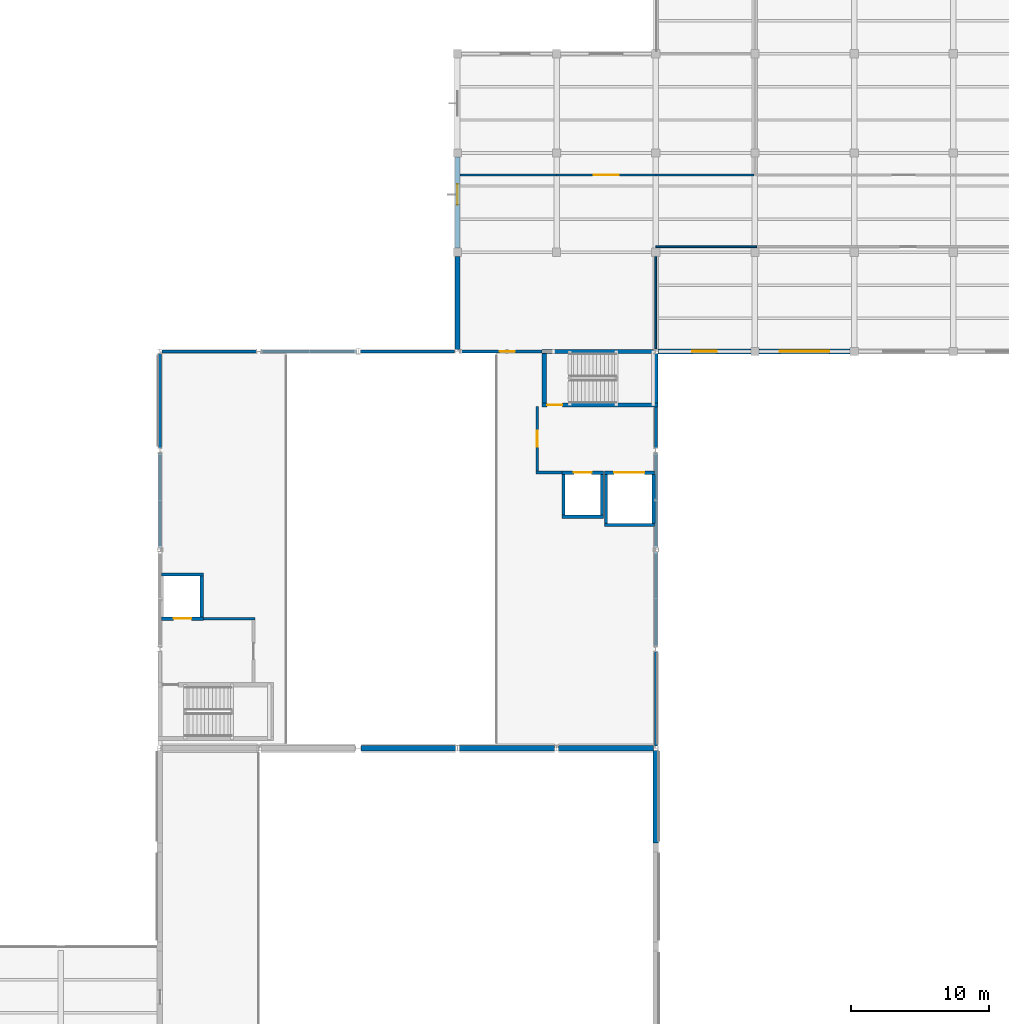
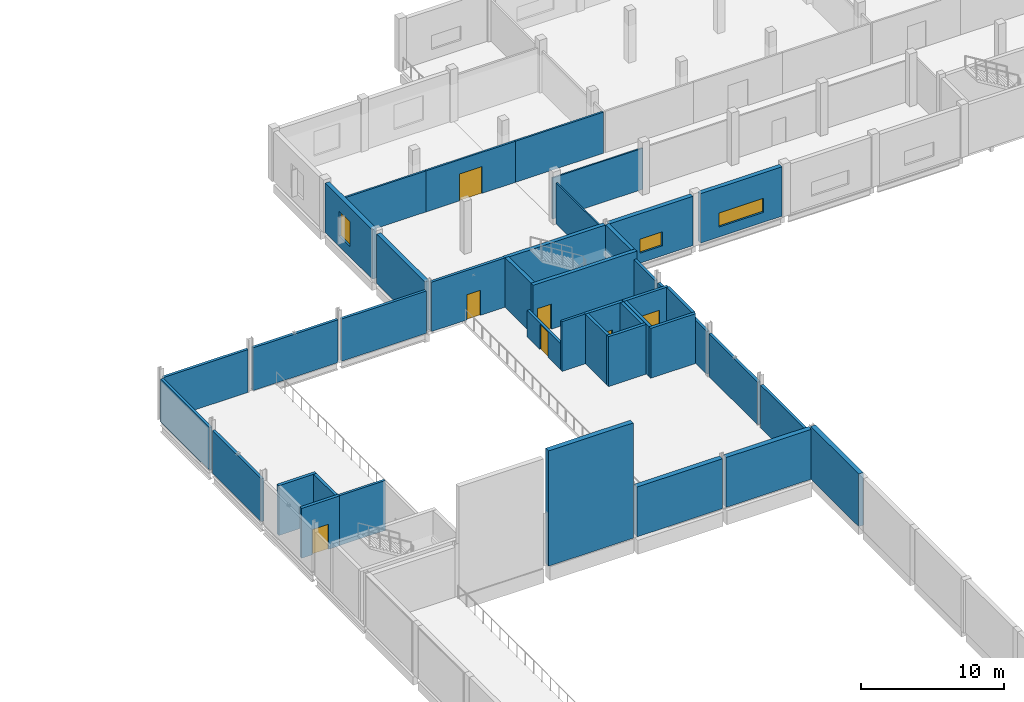
# One storey, part 68 of 76: 41 walls, 7 doors, 3 windows, 10 openings.
"""IFC4 building model written with IfcOpenShell, lengths in metres."""

from ifc_helpers import new_model, si_unit, direction, frame, frame_2d, origin, place, context, subcontext, project, spatial, rectangle, extrude, material, layer, layer_set, type_object, element, fill, save


model = new_model("IFC4")

# Units and contexts
model_context = context("Model", 3, precision=1e-05, world=origin(), true_north=direction((0.0, 1.0)))
body_context = subcontext(model_context, "Body", "Model", "MODEL_VIEW")
ifc_project = project(units=[si_unit("LENGTHUNIT", "METRE"), si_unit("AREAUNIT", "SQUARE_METRE"), si_unit("VOLUMEUNIT", "CUBIC_METRE"), si_unit("PLANEANGLEUNIT", "RADIAN"), si_unit("MASSUNIT", "GRAM", prefix="KILO"), si_unit("THERMODYNAMICTEMPERATUREUNIT", "KELVIN"), si_unit("POWERUNIT", "WATT")], contexts=[model_context])

# Site, building, storey
site_placement = place(None, origin())
site = spatial("IfcSite", under=ifc_project, at=site_placement, CompositionType="ELEMENT")
building_placement = place(site_placement, origin())
building = spatial("IfcBuilding", under=site, at=building_placement, Name="Kaldorven Railside Theatre", CompositionType="ELEMENT")
storey_placement = place(building_placement, frame((0.0, 0.0, 14.39990234375)))
storey = spatial("IfcBuildingStorey", under=building, at=storey_placement, Name="L03", CompositionType="ELEMENT", Elevation=14.39990234375)

# Walls
ifc_material_1 = material(Name="Architectural concrete C40/50", Category="concrete")
ifc_layer_1 = layer(ifc_material_1, 0.3798828125, Name="Architectural concrete C40/50")
ifc_layer_set_1 = layer_set([ifc_layer_1], Name="Architectural concrete C40/50")
wall_type_1 = type_object("IfcWallType", Name="WL-EW02", PredefinedType="SHEAR", material=ifc_layer_set_1)
wall_1_placement = place(storey_placement, frame((123.199951171875, 83.845458984375, 0.0), z_axis=(0.0, 0.0, 1.0), x_axis=(0.0, -1.0, 0.0)))
element("IfcWall", 1, at=wall_1_placement, inside=storey, type_object=wall_type_1, Name="V1 L03 Exterior Wall EW-0263", PredefinedType="SHEAR", context=body_context, shape_type="SweptSolid", body=[
    extrude(rectangle(XDim=6.720458984375, YDim=0.3798828125, at=frame_2d((3.3603515625, 0.0))), origin(), (0.0, 0.0, 1.0), 4.5),
])
ifc_material_2 = material(Name="Precast concrete C40/50", Category="concrete")
ifc_layer_2 = layer(ifc_material_2, 0.35009765625, Name="Precast concrete C40/50")
ifc_layer_set_2 = layer_set([ifc_layer_2], Name="Precast concrete C40/50")
wall_type_2 = type_object("IfcWallType", Name="WL-EW03", PredefinedType="SOLIDWALL", material=ifc_layer_set_2)
wall_2_placement = place(storey_placement, frame((108.800048828125, 112.949951171875, 0.0), z_axis=(0.0, 0.0, 1.0), x_axis=(0.0, 1.0, 0.0)))
element("IfcWall", 2, at=wall_2_placement, inside=storey, type_object=wall_type_2, Name="V6L L03 Exterior Wall EW-0356", PredefinedType="SOLIDWALL", context=body_context, shape_type="SweptSolid", body=[
    extrude(rectangle(XDim=6.75, YDim=0.35009765625, at=frame_2d((3.375, 0.0))), origin(), (0.0, 0.0, 1.0), 4.22021484375),
])

# Wall, opening, window
wall_3_placement = place(storey_placement, frame((108.800048828125, 120.300048828125, 0.0), z_axis=(0.0, 0.0, 1.0), x_axis=(0.0, 1.0, 0.0)))
wall_3 = element("IfcWall", 3, at=wall_3_placement, inside=storey, type_object=wall_type_2, Name="V6L L03 Exterior Wall EW-0357", PredefinedType="SOLIDWALL", context=body_context, shape_type="SweptSolid", body=[
    extrude(rectangle(XDim=6.599853515625, YDim=0.35009765625, at=frame_2d((3.2998046875, 0.0))), origin(), (0.0, 0.0, 1.0), 4.22021484375),
])
opening_1_placement = place(wall_3_placement, frame((3.14990234375, 0.0, 0.89990234375)))
opening_1 = element("IfcOpeningElement", 4, at=opening_1_placement, cuts=wall_3, Name="Opening WN-058", PredefinedType="OPENING", context=body_context, shape_type="SweptSolid", body=[
    extrude(rectangle(XDim=1.5, YDim=2.10009765625, at=frame_2d((0.75, 1.050048828125))), frame((0.0, 0.18505859375, 0.0), z_axis=(0.0, -1.0, 0.0), x_axis=(1.0, 0.0, 0.0)), (0.0, 0.0, 1.0), 0.3701171875),
])
ifc_material_3 = material(Name="Low-E laminated solar-control glass", Category="glass")
window_type_1 = type_object("IfcWindowType", Name="WN-EW08", PartitioningType="SINGLE_PANEL", PredefinedType="WINDOW", material=ifc_material_3)
window_1_placement = place(opening_1_placement, origin())
window_1 = element("IfcWindow", 5, at=window_1_placement, inside=storey, type_object=window_type_1, Name="Shaded Acoustic Exterior Window WN-058", OverallHeight=2.10009765625, OverallWidth=1.5, PartitioningType="SINGLE_PANEL", PredefinedType="WINDOW", context=body_context, shape_type="SweptSolid", body=[
    extrude(rectangle(XDim=1.5, YDim=2.10009765625, at=frame_2d((0.75, 1.050048828125))), frame((0.0, 0.030029296875, 0.0), z_axis=(0.0, -1.0, 0.0), x_axis=(1.0, 0.0, 0.0)), (0.0, 0.0, 1.0), 0.06005859375),
])
fill(opening_1, window_1)

wall_4_placement = place(storey_placement, frame((137.300048828125, 112.800048828125, 0.0), z_axis=(0.0, 0.0, 1.0), x_axis=(-1.0, 0.0, 0.0)))
wall_4 = element("IfcWall", 6, at=wall_4_placement, inside=storey, type_object=wall_type_2, Name="V6 L03 Exterior Wall EW-0435", PredefinedType="SOLIDWALL", context=body_context, shape_type="SweptSolid", body=[
    extrude(rectangle(XDim=6.60009765625, YDim=0.35009765625, at=frame_2d((3.300048828125, 0.0))), origin(), (0.0, 0.0, 1.0), 4.22021484375),
])
opening_2_placement = place(wall_4_placement, frame((1.5, 0.0, 0.85009765625)))
opening_2 = element("IfcOpeningElement", 7, at=opening_2_placement, cuts=wall_4, Name="Opening WN-108", PredefinedType="OPENING", context=body_context, shape_type="SweptSolid", body=[
    extrude(rectangle(XDim=3.60009765625, YDim=1.199951171875, at=frame_2d((1.800048828125, 0.60009765625))), frame((0.0, 0.18505859375, 0.0), z_axis=(0.0, -1.0, 0.0), x_axis=(1.0, 0.0, 0.0)), (0.0, 0.0, 1.0), 0.3701171875),
])
window_type_2 = type_object("IfcWindowType", Name="WN-EW17", PartitioningType="SINGLE_PANEL", PredefinedType="WINDOW", material=ifc_material_3)
window_2_placement = place(opening_2_placement, origin())
window_2 = element("IfcWindow", 8, at=window_2_placement, inside=storey, type_object=window_type_2, Name="Shaded Acoustic Exterior Window WN-108", OverallHeight=1.199951171875, OverallWidth=3.60009765625, PartitioningType="SINGLE_PANEL", PredefinedType="WINDOW", context=body_context, shape_type="SweptSolid", body=[
    extrude(rectangle(XDim=3.60009765625, YDim=1.199951171875, at=frame_2d((1.800048828125, 0.60009765625))), frame((0.0, 0.030029296875, 0.0), z_axis=(0.0, -1.0, 0.0), x_axis=(1.0, 0.0, 0.0)), (0.0, 0.0, 1.0), 0.06005859375),
])
fill(opening_2, window_2)

wall_5_placement = place(storey_placement, frame((130.10009765625, 112.800048828125, 0.0), z_axis=(0.0, 0.0, 1.0), x_axis=(-1.0, 0.0, 0.0)))
wall_5 = element("IfcWall", 9, at=wall_5_placement, inside=storey, type_object=wall_type_2, Name="V6 L03 Exterior Wall EW-0436", PredefinedType="SOLIDWALL", context=body_context, shape_type="SweptSolid", body=[
    extrude(rectangle(XDim=6.74560546875, YDim=0.35009765625, at=frame_2d((3.372802734375, 0.0))), origin(), (0.0, 0.0, 1.0), 4.22021484375),
])
opening_3_placement = place(wall_5_placement, frame((2.47265625, 0.0, 0.85009765625)))
opening_3 = element("IfcOpeningElement", 10, at=opening_3_placement, cuts=wall_5, Name="Opening WN-109", PredefinedType="OPENING", context=body_context, shape_type="SweptSolid", body=[
    extrude(rectangle(XDim=1.800048828125, YDim=1.199951171875, at=frame_2d((0.89990234375, 0.60009765625))), frame((0.0, 0.18505859375, 0.0), z_axis=(0.0, -1.0, 0.0), x_axis=(1.0, 0.0, 0.0)), (0.0, 0.0, 1.0), 0.3701171875),
])
window_type_3 = type_object("IfcWindowType", Name="WN-EW14", PartitioningType="SINGLE_PANEL", PredefinedType="WINDOW", material=ifc_material_3)
window_3_placement = place(opening_3_placement, origin())
window_3 = element("IfcWindow", 11, at=window_3_placement, inside=storey, type_object=window_type_3, Name="Shaded Acoustic Exterior Window WN-109", OverallHeight=1.199951171875, OverallWidth=1.800048828125, PartitioningType="SINGLE_PANEL", PredefinedType="WINDOW", context=body_context, shape_type="SweptSolid", body=[
    extrude(rectangle(XDim=1.800048828125, YDim=1.199951171875, at=frame_2d((0.89990234375, 0.60009765625))), frame((0.0, 0.030029296875, 0.0), z_axis=(0.0, -1.0, 0.0), x_axis=(1.0, 0.0, 0.0)), (0.0, 0.0, 1.0), 0.06005859375),
])
fill(opening_3, window_3)

# Walls
ifc_layer_3 = layer(ifc_material_2, 0.219970703125, Name="Precast concrete C40/50")
ifc_layer_set_3 = layer_set([ifc_layer_3], Name="Precast concrete C40/50")
wall_type_3 = type_object("IfcWallType", Name="WL-EW07", PredefinedType="SOLIDWALL", material=ifc_layer_set_3)
wall_6_placement = place(storey_placement, frame((87.199951171875, 98.550048828125, 0.0), z_axis=(0.0, 0.0, 1.0), x_axis=(0.0, 1.0, 0.0)))
element("IfcWall", 12, at=wall_6_placement, inside=storey, type_object=wall_type_3, Name="V2 L03 Exterior Wall EW-0307", PredefinedType="SOLIDWALL", context=body_context, shape_type="SweptSolid", body=[
    extrude(rectangle(XDim=6.849853515625, YDim=0.219970703125, at=frame_2d((3.4248046875, 0.0))), origin(), (0.0, 0.0, 1.0), 3.655029296875),
])
wall_7_placement = place(storey_placement, frame((87.199951171875, 105.800048828125, 0.0), z_axis=(0.0, 0.0, 1.0), x_axis=(0.0, 1.0, 0.0)))
element("IfcWall", 13, at=wall_7_placement, inside=storey, type_object=wall_type_3, Name="V2 L03 Exterior Wall EW-0308", PredefinedType="SOLIDWALL", context=body_context, shape_type="SweptSolid", body=[
    extrude(rectangle(XDim=6.839599609375, YDim=0.219970703125, at=frame_2d((3.419921875, 0.0))), origin(), (0.0, 0.0, 1.0), 3.655029296875),
])
wall_8_placement = place(storey_placement, frame((87.3544921875, 112.800048828125, 0.0), z_axis=(0.0, 0.0, 1.0), x_axis=(1.0, 0.0, 0.0)))
element("IfcWall", 14, at=wall_8_placement, inside=storey, type_object=wall_type_3, Name="V2 L03 Exterior Wall EW-0309", PredefinedType="SOLIDWALL", context=body_context, shape_type="SweptSolid", body=[
    extrude(rectangle(XDim=6.845458984375, YDim=0.219970703125, at=frame_2d((3.4228515625, 0.0))), origin(), (0.0, 0.0, 1.0), 3.655029296875),
])
wall_9_placement = place(storey_placement, frame((94.60009765625, 112.800048828125, 0.0), z_axis=(0.0, 0.0, 1.0), x_axis=(1.0, 0.0, 0.0)))
element("IfcWall", 15, at=wall_9_placement, inside=storey, type_object=wall_type_3, Name="V2 L03 Exterior Wall EW-0310", PredefinedType="SOLIDWALL", context=body_context, shape_type="SweptSolid", body=[
    extrude(rectangle(XDim=6.849853515625, YDim=0.219970703125, at=frame_2d((3.4248046875, 0.0))), origin(), (0.0, 0.0, 1.0), 3.655029296875),
])
wall_10_placement = place(storey_placement, frame((101.75, 112.800048828125, 0.0), z_axis=(0.0, 0.0, 1.0), x_axis=(1.0, 0.0, 0.0)))
element("IfcWall", 16, at=wall_10_placement, inside=storey, type_object=wall_type_3, Name="V2 L03 Exterior Wall EW-0311", PredefinedType="SOLIDWALL", context=body_context, shape_type="SweptSolid", body=[
    extrude(rectangle(XDim=6.85009765625, YDim=0.219970703125, at=frame_2d((3.425048828125, 0.0))), origin(), (0.0, 0.0, 1.0), 3.614990234375),
])

# Wall, opening, door
wall_11_placement = place(storey_placement, frame((109.0, 112.800048828125, 0.0), z_axis=(0.0, 0.0, 1.0), x_axis=(1.0, 0.0, 0.0)))
wall_11 = element("IfcWall", 17, at=wall_11_placement, inside=storey, type_object=wall_type_3, Name="V2 L03 Exterior Wall EW-0312", PredefinedType="SOLIDWALL", context=body_context, shape_type="SweptSolid", body=[
    extrude(rectangle(XDim=5.949951171875, YDim=0.219970703125, at=frame_2d((2.97509765625, 0.0))), origin(), (0.0, 0.0, 1.0), 4.22021484375),
])
opening_4_placement = place(wall_11_placement, frame((2.875, 0.0, 0.0)))
opening_4 = element("IfcOpeningElement", 18, at=opening_4_placement, cuts=wall_11, Name="Opening ID-0083", PredefinedType="OPENING", context=body_context, shape_type="SweptSolid", body=[
    extrude(rectangle(XDim=1.10009765625, YDim=2.14990234375, at=frame_2d((0.550048828125, 1.074951171875))), frame((0.0, 0.1201171875, 0.0), z_axis=(0.0, -1.0, 0.0), x_axis=(1.0, 0.0, 0.0)), (0.0, 0.0, 1.0), 0.239990234375),
])
ifc_material_4 = material(Name="Acoustic hardwood timber", Category="wood")
door_type_1 = type_object("IfcDoorType", Name="DR-ID-FD60", OperationType="NOTDEFINED", PredefinedType="DOOR", material=ifc_material_4)
door_1_placement = place(opening_4_placement, origin())
door_1 = element("IfcDoor", 19, at=door_1_placement, inside=storey, type_object=door_type_1, Name="L03 Stage-to-Backstage Corridor Door", OperationType="SINGLE_SWING_RIGHT", OverallHeight=2.14990234375, OverallWidth=1.10009765625, PredefinedType="DOOR", context=body_context, shape_type="SweptSolid", body=[
    extrude(rectangle(XDim=1.10009765625, YDim=2.14990234375, at=frame_2d((0.550048828125, 1.074951171875))), frame((0.0, 0.02490234375, 0.0), z_axis=(0.0, -1.0, 0.0), x_axis=(1.0, 0.0, 0.0)), (0.0, 0.0, 1.0), 0.050048828125),
])
fill(opening_4, door_1)

# Walls
wall_12_placement = place(storey_placement, frame((123.199951171875, 108.75, 0.0), z_axis=(0.0, 0.0, 1.0), x_axis=(0.0, -1.0, 0.0)))
element("IfcWall", 20, at=wall_12_placement, inside=storey, type_object=wall_type_3, Name="V2 L03 Exterior Wall EW-0313", PredefinedType="SOLIDWALL", context=body_context, shape_type="SweptSolid", body=[
    extrude(rectangle(XDim=2.949951171875, YDim=0.219970703125, at=frame_2d((1.47509765625, 0.0))), origin(), (0.0, 0.0, 1.0), 3.614990234375),
])
wall_13_placement = place(storey_placement, frame((123.199951171875, 105.39990234375, 0.0), z_axis=(0.0, 0.0, 1.0), x_axis=(0.0, -1.0, 0.0)))
element("IfcWall", 21, at=wall_13_placement, inside=storey, type_object=wall_type_3, Name="V2 L03 Exterior Wall EW-0314", PredefinedType="SOLIDWALL", context=body_context, shape_type="SweptSolid", body=[
    extrude(rectangle(XDim=6.849853515625, YDim=0.219970703125, at=frame_2d((3.4248046875, 0.0))), origin(), (0.0, 0.0, 1.0), 3.655029296875),
])
wall_14_placement = place(storey_placement, frame((123.199951171875, 98.25, 0.0), z_axis=(0.0, 0.0, 1.0), x_axis=(0.0, -1.0, 0.0)))
element("IfcWall", 22, at=wall_14_placement, inside=storey, type_object=wall_type_3, Name="V2 L03 Exterior Wall EW-0315", PredefinedType="SOLIDWALL", context=body_context, shape_type="SweptSolid", body=[
    extrude(rectangle(XDim=6.85009765625, YDim=0.219970703125, at=frame_2d((3.425048828125, 0.0))), origin(), (0.0, 0.0, 1.0), 3.655029296875),
])
wall_15_placement = place(storey_placement, frame((123.199951171875, 91.0, 0.0), z_axis=(0.0, 0.0, 1.0), x_axis=(0.0, -1.0, 0.0)))
element("IfcWall", 23, at=wall_15_placement, inside=storey, type_object=wall_type_3, Name="V2 L03 Exterior Wall EW-0316", PredefinedType="SOLIDWALL", context=body_context, shape_type="SweptSolid", body=[
    extrude(rectangle(XDim=6.845458984375, YDim=0.219970703125, at=frame_2d((3.4228515625, 0.0))), origin(), (0.0, 0.0, 1.0), 3.655029296875),
])
ifc_material_5 = material(Name="Acoustic gypsum board")
ifc_layer_4 = layer(ifc_material_5, 0.14990234375, Name="Acoustic gypsum board")
ifc_layer_set_4 = layer_set([ifc_layer_4], Name="Acoustic gypsum board")
wall_type_4 = type_object("IfcWallType", Name="WL-IW-AC1", PredefinedType="PARTITIONING", material=ifc_layer_set_4)
wall_16_placement = place(storey_placement, frame((108.97705078125, 125.60009765625, 0.0), z_axis=(0.0, 0.0, 1.0), x_axis=(1.0, 0.0, 0.0)))
element("IfcWall", 24, at=wall_16_placement, inside=storey, type_object=wall_type_4, Name="L03 Interior Wall IW-0646", PredefinedType="PARTITIONING", context=body_context, shape_type="SweptSolid", body=[
    extrude(rectangle(XDim=7.02294921875, YDim=0.14990234375, at=frame_2d((3.511474609375, 0.0))), origin(), (0.0, 0.0, 1.0), 3.51513671875),
])

# Wall, opening, door
wall_17_placement = place(storey_placement, frame((116.0, 125.60009765625, 0.0), z_axis=(0.0, 0.0, 1.0), x_axis=(1.0, 0.0, 0.0)))
wall_17 = element("IfcWall", 25, at=wall_17_placement, inside=storey, type_object=wall_type_4, Name="L03 Interior Wall IW-0647", PredefinedType="PARTITIONING", context=body_context, shape_type="SweptSolid", body=[
    extrude(rectangle(XDim=7.199951171875, YDim=0.14990234375, at=frame_2d((3.60009765625, 0.0))), origin(), (0.0, 0.0, 1.0), 3.51513671875),
])
opening_5_placement = place(wall_17_placement, frame((2.699951171875, 0.0, 0.0)))
opening_5 = element("IfcOpeningElement", 26, at=opening_5_placement, cuts=wall_17, Name="Opening ID-0148", PredefinedType="OPENING", context=body_context, shape_type="SweptSolid", body=[
    extrude(rectangle(XDim=1.800048828125, YDim=2.300048828125, at=frame_2d((0.89990234375, 1.14990234375))), frame((0.0, 0.0849609375, 0.0), z_axis=(0.0, -1.0, 0.0), x_axis=(1.0, 0.0, 0.0)), (0.0, 0.0, 1.0), 0.169921875),
])
door_type_2 = type_object("IfcDoorType", Name="DR-ID-SL60", OperationType="NOTDEFINED", PredefinedType="DOOR", material=ifc_material_4)
door_2_placement = place(opening_5_placement, origin())
door_2 = element("IfcDoor", 27, at=door_2_placement, inside=storey, type_object=door_type_2, Name="Recording Suite Entry Door", OperationType="DOUBLE_DOOR_SINGLE_SWING", OverallHeight=2.300048828125, OverallWidth=1.800048828125, PredefinedType="DOOR", context=body_context, shape_type="SweptSolid", body=[
    extrude(rectangle(XDim=1.800048828125, YDim=2.300048828125, at=frame_2d((0.89990234375, 1.14990234375))), frame((0.0, 0.02490234375, 0.0), z_axis=(0.0, -1.0, 0.0), x_axis=(1.0, 0.0, 0.0)), (0.0, 0.0, 1.0), 0.050048828125),
])
fill(opening_5, door_2)

# Wall
wall_18_placement = place(storey_placement, frame((123.199951171875, 125.60009765625, 0.0), z_axis=(0.0, 0.0, 1.0), x_axis=(1.0, 0.0, 0.0)))
element("IfcWall", 28, at=wall_18_placement, inside=storey, type_object=wall_type_4, Name="L03 Interior Wall IW-0648", PredefinedType="PARTITIONING", context=body_context, shape_type="SweptSolid", body=[
    extrude(rectangle(XDim=7.123046875, YDim=0.14990234375, at=frame_2d((3.5615234375, 0.0))), origin(), (0.0, 0.0, 1.0), 3.51513671875),
])

# Wall, opening, door
ifc_material_6 = material(Name="Concrete C40/50", Category="concrete")
ifc_layer_5 = layer(ifc_material_6, 0.300048828125, Name="Concrete C40/50")
ifc_layer_set_5 = layer_set([ifc_layer_5], Name="Concrete C40/50")
wall_type_5 = type_object("IfcWallType", Name="WL-IW-CORE", PredefinedType="SHEAR", material=ifc_layer_set_5)
wall_19_placement = place(storey_placement, frame((123.35009765625, 108.89990234375, 0.0), z_axis=(0.0, 0.0, 1.0), x_axis=(-1.0, 0.0, 0.0)))
wall_19 = element("IfcWall", 29, at=wall_19_placement, inside=storey, type_object=wall_type_5, Name="L03 Core Wall CW-0213", PredefinedType="SHEAR", context=body_context, shape_type="SweptSolid", body=[
    extrude(rectangle(XDim=8.400146484375, YDim=0.300048828125, at=frame_2d((4.2001953125, 0.0))), origin(), (0.0, 0.0, 1.0), 4.260009765625),
])
opening_6_placement = place(wall_19_placement, frame((6.929931640625, 0.0, 0.0)))
opening_6 = element("IfcOpeningElement", 30, at=opening_6_placement, cuts=wall_19, Name="Opening ID-0036", PredefinedType="OPENING", context=body_context, shape_type="SweptSolid", body=[
    extrude(rectangle(XDim=1.10009765625, YDim=2.14990234375, at=frame_2d((0.550048828125, 1.074951171875))), frame((0.0, 0.16015625, 0.0), z_axis=(0.0, -1.0, 0.0), x_axis=(1.0, 0.0, 0.0)), (0.0, 0.0, 1.0), 0.320068359375),
])
door_3_placement = place(opening_6_placement, origin())
door_3 = element("IfcDoor", 31, at=door_3_placement, inside=storey, type_object=door_type_1, Name="Stair ST-06 Fire Door", OperationType="SINGLE_SWING_RIGHT", OverallHeight=2.14990234375, OverallWidth=1.10009765625, PredefinedType="DOOR", context=body_context, shape_type="SweptSolid", body=[
    extrude(rectangle(XDim=1.10009765625, YDim=2.14990234375, at=frame_2d((0.550048828125, 1.074951171875))), frame((0.0, 0.02490234375, 0.0), z_axis=(0.0, -1.0, 0.0), x_axis=(1.0, 0.0, 0.0)), (0.0, 0.0, 1.0), 0.050048828125),
])
fill(opening_6, door_3)

# Walls
wall_20_placement = place(storey_placement, frame((115.10009765625, 109.052001953125, 0.0), z_axis=(0.0, 0.0, 1.0), x_axis=(0.0, 1.0, 0.0)))
element("IfcWall", 32, at=wall_20_placement, inside=storey, type_object=wall_type_5, Name="L03 Core Wall CW-0214", PredefinedType="SHEAR", context=body_context, shape_type="SweptSolid", body=[
    extrude(rectangle(XDim=3.597900390625, YDim=0.300048828125, at=frame_2d((1.798828125, 0.0))), origin(), (0.0, 0.0, 1.0), 4.260009765625),
])
wall_21_placement = place(storey_placement, frame((114.949951171875, 112.800048828125, 0.0), z_axis=(0.0, 0.0, 1.0), x_axis=(1.0, 0.0, 0.0)))
element("IfcWall", 33, at=wall_21_placement, inside=storey, type_object=wall_type_5, Name="L03 Core Wall CW-0215", PredefinedType="SHEAR", context=body_context, shape_type="SweptSolid", body=[
    extrude(rectangle(XDim=8.095458984375, YDim=0.300048828125, at=frame_2d((4.0478515625, 0.0))), origin(), (0.0, 0.0, 1.0), 4.22021484375),
])
wall_22_placement = place(storey_placement, frame((123.199951171875, 112.6396484375, 0.0), z_axis=(0.0, 0.0, 1.0), x_axis=(0.0, -1.0, 0.0)))
element("IfcWall", 34, at=wall_22_placement, inside=storey, type_object=wall_type_5, Name="L03 Core Wall CW-0216", PredefinedType="SHEAR", context=body_context, shape_type="SweptSolid", body=[
    extrude(rectangle(XDim=3.587646484375, YDim=0.300048828125, at=frame_2d((1.7939453125, 0.0))), origin(), (0.0, 0.0, 1.0), 4.260009765625),
])
ifc_material_7 = material(Name="Concrete C35/45", Category="concrete")
ifc_layer_6 = layer(ifc_material_7, 0.199951171875, Name="Concrete C35/45")
ifc_layer_set_6 = layer_set([ifc_layer_6], Name="Concrete C35/45")
wall_type_6 = type_object("IfcWallType", Name="WL-IW-FF", PredefinedType="PARTITIONING", material=ifc_layer_set_6)
wall_23_placement = place(storey_placement, frame((90.3701171875, 93.39990234375, 0.0), z_axis=(0.0, 0.0, 1.0), x_axis=(1.0, 0.0, 0.0)))
element("IfcWall", 35, at=wall_23_placement, inside=storey, type_object=wall_type_6, Name="L03 Interior Wall FFW-0191", PredefinedType="PARTITIONING", context=body_context, shape_type="SweptSolid", body=[
    extrude(rectangle(XDim=3.72998046875, YDim=0.199951171875, at=frame_2d((1.864990234375, 0.0))), origin(), (0.0, 0.0, 1.0), 4.260009765625),
])
wall_24_placement = place(storey_placement, frame((116.3798828125, 104.0, 0.0), z_axis=(0.0, 0.0, 1.0), x_axis=(-1.0, 0.0, 0.0)))
element("IfcWall", 36, at=wall_24_placement, inside=storey, type_object=wall_type_6, Name="L03 Interior Wall FFW-0283", PredefinedType="PARTITIONING", context=body_context, shape_type="SweptSolid", body=[
    extrude(rectangle(XDim=1.8798828125, YDim=0.199951171875, at=frame_2d((0.93994140625, 0.0))), origin(), (0.0, 0.0, 1.0), 4.260009765625),
])

# Wall, opening, door
wall_25_placement = place(storey_placement, frame((114.60009765625, 104.10205078125, 0.0), z_axis=(0.0, 0.0, 1.0), x_axis=(0.0, 1.0, 0.0)))
wall_25 = element("IfcWall", 37, at=wall_25_placement, inside=storey, type_object=wall_type_6, Name="L03 Interior Wall FFW-0284", PredefinedType="PARTITIONING", context=body_context, shape_type="SweptSolid", body=[
    extrude(rectangle(XDim=4.697998046875, YDim=0.199951171875, at=frame_2d((2.34912109375, 0.0))), origin(), (0.0, 0.0, 1.0), 2.255126953125),
])
opening_7_placement = place(wall_25_placement, frame((1.77392578125, 0.0, 0.0)))
opening_7 = element("IfcOpeningElement", 38, at=opening_7_placement, cuts=wall_25, Name="Opening ID-0043", PredefinedType="OPENING", context=body_context, shape_type="SweptSolid", body=[
    extrude(rectangle(XDim=1.14990234375, YDim=2.14990234375, at=frame_2d((0.574951171875, 1.074951171875))), frame((0.0, 0.10986328125, 0.0), z_axis=(0.0, -1.0, 0.0), x_axis=(1.0, 0.0, 0.0)), (0.0, 0.0, 1.0), 0.219970703125),
])
ifc_material_8 = material(Name="Powder-coated hollow-metal steel", Category="steel")
door_type_3 = type_object("IfcDoorType", Name="DR-ID-FD120", OperationType="NOTDEFINED", PredefinedType="DOOR", material=ifc_material_8)
door_4_placement = place(opening_7_placement, origin())
door_4 = element("IfcDoor", 39, at=door_4_placement, inside=storey, type_object=door_type_3, Name="Firefighting Lobby C-STE Door", OperationType="SINGLE_SWING_LEFT", OverallHeight=2.14990234375, OverallWidth=1.14990234375, PredefinedType="DOOR", context=body_context, shape_type="SweptSolid", body=[
    extrude(rectangle(XDim=1.14990234375, YDim=2.14990234375, at=frame_2d((0.574951171875, 1.074951171875))), frame((0.0, 0.02490234375, 0.0), z_axis=(0.0, -1.0, 0.0), x_axis=(1.0, 0.0, 0.0)), (0.0, 0.0, 1.0), 0.050048828125),
])
fill(opening_7, door_4)

# Walls
ifc_layer_7 = layer(ifc_material_6, 0.39990234375, Name="Concrete C40/50")
ifc_layer_set_7 = layer_set([ifc_layer_7], Name="Concrete C40/50")
wall_type_7 = type_object("IfcWallType", Name="WL-IW-PROSC", PredefinedType="SHEAR", material=ifc_layer_set_7)
wall_26_placement = place(storey_placement, frame((101.800048828125, 84.0, 0.0), z_axis=(0.0, 0.0, 1.0), x_axis=(1.0, 0.0, 0.0)))
element("IfcWall", 40, at=wall_26_placement, inside=storey, type_object=wall_type_7, Name="L03 Interior Wall PW-0380", PredefinedType="SHEAR", context=body_context, shape_type="SweptSolid", body=[
    extrude(rectangle(XDim=6.849853515625, YDim=0.39990234375, at=frame_2d((3.4248046875, 0.0))), origin(), (0.0, 0.0, 1.0), 9.849853515625),
])
wall_27_placement = place(storey_placement, frame((108.949951171875, 84.0, 0.0), z_axis=(0.0, 0.0, 1.0), x_axis=(1.0, 0.0, 0.0)))
element("IfcWall", 41, at=wall_27_placement, inside=storey, type_object=wall_type_7, Name="L03 Interior Wall PW-0381", PredefinedType="SHEAR", context=body_context, shape_type="SweptSolid", body=[
    extrude(rectangle(XDim=6.900146484375, YDim=0.39990234375, at=frame_2d((3.4501953125, 0.0))), origin(), (0.0, 0.0, 1.0), 4.260009765625),
])
wall_28_placement = place(storey_placement, frame((116.14990234375, 84.0, 0.0), z_axis=(0.0, 0.0, 1.0), x_axis=(1.0, 0.0, 0.0)))
element("IfcWall", 42, at=wall_28_placement, inside=storey, type_object=wall_type_7, Name="L03 Interior Wall PW-0382", PredefinedType="SHEAR", context=body_context, shape_type="SweptSolid", body=[
    extrude(rectangle(XDim=6.889892578125, YDim=0.39990234375, at=frame_2d((3.44482421875, 0.0))), origin(), (0.0, 0.0, 1.0), 4.260009765625),
])
ifc_material_9 = material(Name="Fire-rated acoustic gypsum board")
ifc_layer_8 = layer(ifc_material_9, 0.1201171875, Name="Fire-rated acoustic gypsum board")
ifc_layer_set_8 = layer_set([ifc_layer_8], Name="Fire-rated acoustic gypsum board")
wall_type_8 = type_object("IfcWallType", Name="WL-IW-PT1", PredefinedType="PARTITIONING", material=ifc_layer_set_8)
wall_29_placement = place(storey_placement, frame((130.52490234375, 120.39990234375, 0.0), z_axis=(0.0, 0.0, 1.0), x_axis=(-1.0, 0.0, 0.0)))
element("IfcWall", 43, at=wall_29_placement, inside=storey, type_object=wall_type_8, Name="L03 Interior Wall IW-0662", PredefinedType="PARTITIONING", context=body_context, shape_type="SweptSolid", body=[
    extrude(rectangle(XDim=7.324951171875, YDim=0.1201171875, at=frame_2d((3.66259765625, 0.0))), origin(), (0.0, 0.0, 1.0), 3.51513671875),
])
wall_30_placement = place(storey_placement, frame((123.199951171875, 119.699951171875, 0.0), z_axis=(0.0, 0.0, 1.0), x_axis=(0.0, -1.0, 0.0)))
element("IfcWall", 44, at=wall_30_placement, inside=storey, type_object=wall_type_8, Name="L03 Interior Wall IW-0663", PredefinedType="PARTITIONING", context=body_context, shape_type="SweptSolid", body=[
    extrude(rectangle(XDim=6.73974609375, YDim=0.1201171875, at=frame_2d((3.369873046875, 0.0))), origin(), (0.0, 0.0, 1.0), 3.51513671875),
])

# Wall, opening, door
ifc_layer_9 = layer(ifc_material_6, 0.239990234375, Name="Concrete C40/50")
ifc_layer_set_9 = layer_set([ifc_layer_9], Name="Concrete C40/50")
wall_type_9 = type_object("IfcWallType", Name="WL-IW-SHAFT", PredefinedType="SHEAR", material=ifc_layer_set_9)
wall_31_placement = place(storey_placement, frame((90.3701171875, 93.39990234375, 0.0), z_axis=(0.0, 0.0, 1.0), x_axis=(-1.0, 0.0, 0.0)))
wall_31 = element("IfcWall", 45, at=wall_31_placement, inside=storey, type_object=wall_type_9, Name="L03 Interior Wall SW-0171", PredefinedType="SHEAR", context=body_context, shape_type="SweptSolid", body=[
    extrude(rectangle(XDim=3.05810546875, YDim=0.239990234375, at=frame_2d((1.529052734375, 0.0))), origin(), (0.0, 0.0, 1.0), 4.260009765625),
])
opening_8_placement = place(wall_31_placement, frame((0.87890625, 0.0, 0.0)))
opening_8 = element("IfcOpeningElement", 46, at=opening_8_placement, cuts=wall_31, Name="Opening LD-020", PredefinedType="OPENING", context=body_context, shape_type="SweptSolid", body=[
    extrude(rectangle(XDim=1.300048828125, YDim=2.14990234375, at=frame_2d((0.64990234375, 1.074951171875))), frame((0.0, 0.1298828125, 0.0), z_axis=(0.0, -1.0, 0.0), x_axis=(1.0, 0.0, 0.0)), (0.0, 0.0, 1.0), 0.260009765625),
])
door_type_4 = type_object("IfcDoorType", Name="DR-LD-FF", OperationType="NOTDEFINED", PredefinedType="DOOR", material=ifc_material_8)
door_5_placement = place(opening_8_placement, origin())
door_5 = element("IfcDoor", 47, at=door_5_placement, inside=storey, type_object=door_type_4, Name="Lift LF-FF1 Sliding Landing Door", OperationType="DOUBLE_DOOR_SLIDING", OverallHeight=2.14990234375, OverallWidth=1.300048828125, PredefinedType="DOOR", context=body_context, shape_type="SweptSolid", body=[
    extrude(rectangle(XDim=1.300048828125, YDim=2.14990234375, at=frame_2d((0.64990234375, 1.074951171875))), frame((0.0, 0.02490234375, 0.0), z_axis=(0.0, -1.0, 0.0), x_axis=(1.0, 0.0, 0.0)), (0.0, 0.0, 1.0), 0.050048828125),
])
fill(opening_8, door_5)

# Walls
wall_32_placement = place(storey_placement, frame((87.31201171875, 96.60009765625, 0.0), z_axis=(0.0, 0.0, 1.0), x_axis=(1.0, 0.0, 0.0)))
element("IfcWall", 48, at=wall_32_placement, inside=storey, type_object=wall_type_9, Name="L03 Interior Wall SW-0173", PredefinedType="SHEAR", context=body_context, shape_type="SweptSolid", body=[
    extrude(rectangle(XDim=3.05810546875, YDim=0.239990234375, at=frame_2d((1.529052734375, 0.0))), origin(), (0.0, 0.0, 1.0), 4.260009765625),
])
wall_33_placement = place(storey_placement, frame((90.25, 96.47802734375, 0.0), z_axis=(0.0, 0.0, 1.0), x_axis=(0.0, -1.0, 0.0)))
element("IfcWall", 49, at=wall_33_placement, inside=storey, type_object=wall_type_9, Name="L03 Interior Wall SW-0174", PredefinedType="SHEAR", context=body_context, shape_type="SweptSolid", body=[
    extrude(rectangle(XDim=2.9560546875, YDim=0.239990234375, at=frame_2d((1.47802734375, 0.0))), origin(), (0.0, 0.0, 1.0), 4.260009765625),
])
wall_34_placement = place(storey_placement, frame((119.419921875, 100.800048828125, 0.0), z_axis=(0.0, 0.0, 1.0), x_axis=(-1.0, 0.0, 0.0)))
element("IfcWall", 50, at=wall_34_placement, inside=storey, type_object=wall_type_9, Name="L03 Interior Wall SW-0241", PredefinedType="SHEAR", context=body_context, shape_type="SweptSolid", body=[
    extrude(rectangle(XDim=3.0400390625, YDim=0.239990234375, at=frame_2d((1.52001953125, 0.0))), origin(), (0.0, 0.0, 1.0), 4.260009765625),
])
wall_35_placement = place(storey_placement, frame((116.5, 100.922119140625, 0.0), z_axis=(0.0, 0.0, 1.0), x_axis=(0.0, 1.0, 0.0)))
element("IfcWall", 51, at=wall_35_placement, inside=storey, type_object=wall_type_9, Name="L03 Interior Wall SW-0242", PredefinedType="SHEAR", context=body_context, shape_type="SweptSolid", body=[
    extrude(rectangle(XDim=2.957763671875, YDim=0.239990234375, at=frame_2d((1.47900390625, 0.0))), origin(), (0.0, 0.0, 1.0), 4.260009765625),
])

# Wall, opening, door
wall_36_placement = place(storey_placement, frame((116.3798828125, 104.0, 0.0), z_axis=(0.0, 0.0, 1.0), x_axis=(1.0, 0.0, 0.0)))
wall_36 = element("IfcWall", 52, at=wall_36_placement, inside=storey, type_object=wall_type_9, Name="L03 Interior Wall SW-0243", PredefinedType="SHEAR", context=body_context, shape_type="SweptSolid", body=[
    extrude(rectangle(XDim=3.0400390625, YDim=0.239990234375, at=frame_2d((1.52001953125, 0.0))), origin(), (0.0, 0.0, 1.0), 4.260009765625),
])
opening_9_placement = place(wall_36_placement, frame((0.8701171875, 0.0, 0.0)))
opening_9 = element("IfcOpeningElement", 53, at=opening_9_placement, cuts=wall_36, Name="Opening LD-027", PredefinedType="OPENING", context=body_context, shape_type="SweptSolid", body=[
    extrude(rectangle(XDim=1.300048828125, YDim=2.14990234375, at=frame_2d((0.64990234375, 1.074951171875))), frame((0.0, 0.1298828125, 0.0), z_axis=(0.0, -1.0, 0.0), x_axis=(1.0, 0.0, 0.0)), (0.0, 0.0, 1.0), 0.260009765625),
])
door_6_placement = place(opening_9_placement, origin())
door_6 = element("IfcDoor", 54, at=door_6_placement, inside=storey, type_object=door_type_4, Name="Lift LF-FF2 Sliding Landing Door", OperationType="DOUBLE_DOOR_SLIDING", OverallHeight=2.14990234375, OverallWidth=1.300048828125, PredefinedType="DOOR", context=body_context, shape_type="SweptSolid", body=[
    extrude(rectangle(XDim=1.300048828125, YDim=2.14990234375, at=frame_2d((0.64990234375, 1.074951171875))), frame((0.0, 0.02490234375, 0.0), z_axis=(0.0, -1.0, 0.0), x_axis=(1.0, 0.0, 0.0)), (0.0, 0.0, 1.0), 0.050048828125),
])
fill(opening_9, door_6)

# Walls
wall_37_placement = place(storey_placement, frame((119.300048828125, 103.8779296875, 0.0), z_axis=(0.0, 0.0, 1.0), x_axis=(0.0, -1.0, 0.0)))
element("IfcWall", 55, at=wall_37_placement, inside=storey, type_object=wall_type_9, Name="L03 Interior Wall SW-0244", PredefinedType="SHEAR", context=body_context, shape_type="SweptSolid", body=[
    extrude(rectangle(XDim=2.955810546875, YDim=0.239990234375, at=frame_2d((1.47802734375, 0.0))), origin(), (0.0, 0.0, 1.0), 4.260009765625),
])
wall_38_placement = place(storey_placement, frame((123.087890625, 100.199951171875, 0.0), z_axis=(0.0, 0.0, 1.0), x_axis=(-1.0, 0.0, 0.0)))
element("IfcWall", 56, at=wall_38_placement, inside=storey, type_object=wall_type_9, Name="L03 Interior Wall SW-0267", PredefinedType="SHEAR", context=body_context, shape_type="SweptSolid", body=[
    extrude(rectangle(XDim=3.6279296875, YDim=0.239990234375, at=frame_2d((1.81396484375, 0.0))), origin(), (0.0, 0.0, 1.0), 4.260009765625),
])
wall_39_placement = place(storey_placement, frame((119.580078125, 100.322021484375, 0.0), z_axis=(0.0, 0.0, 1.0), x_axis=(0.0, 1.0, 0.0)))
element("IfcWall", 57, at=wall_39_placement, inside=storey, type_object=wall_type_9, Name="L03 Interior Wall SW-0268", PredefinedType="SHEAR", context=body_context, shape_type="SweptSolid", body=[
    extrude(rectangle(XDim=3.557861328125, YDim=0.239990234375, at=frame_2d((1.77880859375, 0.0))), origin(), (0.0, 0.0, 1.0), 4.260009765625),
])

# Wall, opening, door
wall_40_placement = place(storey_placement, frame((119.4599609375, 104.0, 0.0), z_axis=(0.0, 0.0, 1.0), x_axis=(1.0, 0.0, 0.0)))
wall_40 = element("IfcWall", 58, at=wall_40_placement, inside=storey, type_object=wall_type_9, Name="L03 Interior Wall SW-0269", PredefinedType="SHEAR", context=body_context, shape_type="SweptSolid", body=[
    extrude(rectangle(XDim=3.6279296875, YDim=0.239990234375, at=frame_2d((1.81396484375, 0.0))), origin(), (0.0, 0.0, 1.0), 4.260009765625),
])
opening_10_placement = place(wall_40_placement, frame((0.714111328125, 0.0, 0.0)))
opening_10 = element("IfcOpeningElement", 59, at=opening_10_placement, cuts=wall_40, Name="Opening LD-034", PredefinedType="OPENING", context=body_context, shape_type="SweptSolid", body=[
    extrude(rectangle(XDim=2.199951171875, YDim=2.5, at=frame_2d((1.10009765625, 1.25))), frame((0.0, 0.1298828125, 0.0), z_axis=(0.0, -1.0, 0.0), x_axis=(1.0, 0.0, 0.0)), (0.0, 0.0, 1.0), 0.260009765625),
])
door_type_5 = type_object("IfcDoorType", Name="DR-LD-GOODS", OperationType="NOTDEFINED", PredefinedType="DOOR", material=ifc_material_8)
door_7_placement = place(opening_10_placement, origin())
door_7 = element("IfcDoor", 60, at=door_7_placement, inside=storey, type_object=door_type_5, Name="Lift LF-G1 Sliding Landing Door", OperationType="DOUBLE_DOOR_SLIDING", OverallHeight=2.5, OverallWidth=2.199951171875, PredefinedType="DOOR", context=body_context, shape_type="SweptSolid", body=[
    extrude(rectangle(XDim=2.199951171875, YDim=2.5, at=frame_2d((1.10009765625, 1.25))), frame((0.0, 0.02490234375, 0.0), z_axis=(0.0, -1.0, 0.0), x_axis=(1.0, 0.0, 0.0)), (0.0, 0.0, 1.0), 0.050048828125),
])
fill(opening_10, door_7)

# Wall
wall_41_placement = place(storey_placement, frame((123.050048828125, 103.8779296875, 0.0), z_axis=(0.0, 0.0, 1.0), x_axis=(0.0, -1.0, 0.0)))
element("IfcWall", 61, at=wall_41_placement, inside=storey, type_object=wall_type_9, Name="L03 Interior Wall SW-0270", PredefinedType="SHEAR", context=body_context, shape_type="SweptSolid", body=[
    extrude(rectangle(XDim=3.555908203125, YDim=0.239990234375, at=frame_2d((1.77783203125, 0.0))), origin(), (0.0, 0.0, 1.0), 4.260009765625),
])

save(model, "model.ifc")
